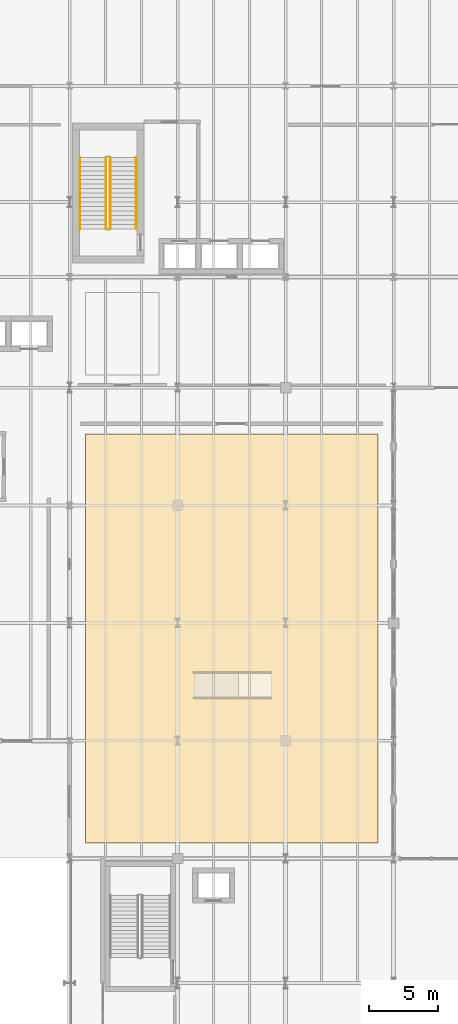
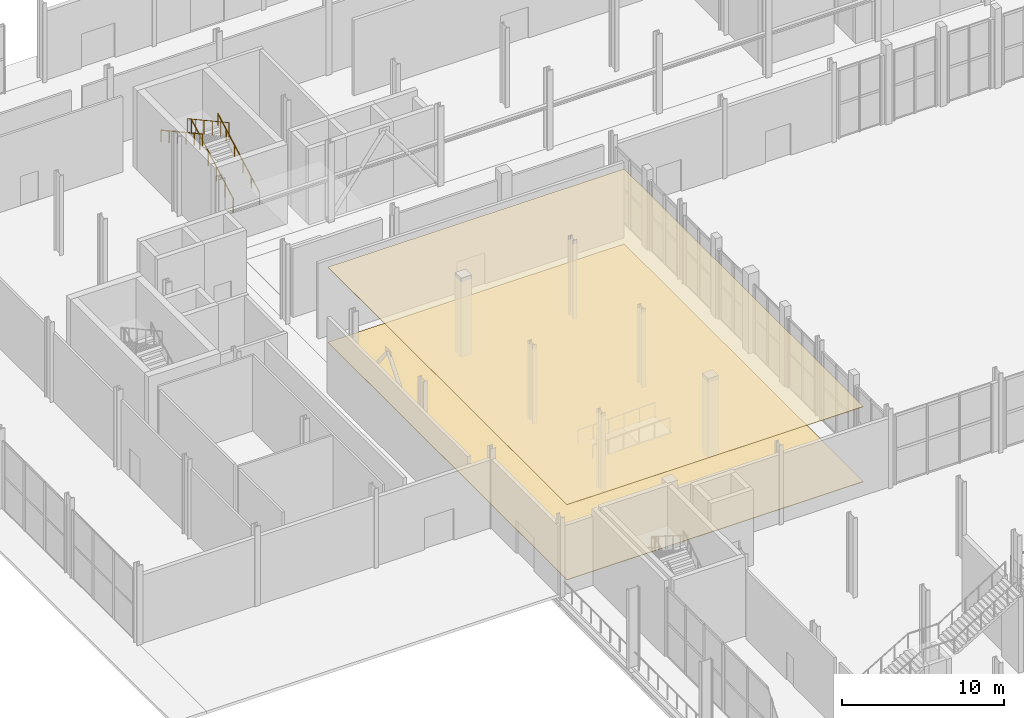
# One storey, part 74 of 84: 4 railings, 2 coverings.
"""IFC4 building model written with IfcOpenShell, lengths in metres."""

from ifc_helpers import new_model, si_unit, direction, frame, origin, origin_2d, place, context, subcontext, project, spatial, polyline, circle, outline, extrude, material, layer, layer_set, type_object, element, save


model = new_model("IFC4")

# Units and contexts
model_context = context("Model", 3, precision=1e-05, world=origin(), true_north=direction((0.0, 1.0)))
body_context = subcontext(model_context, "Body", "Model", "MODEL_VIEW")
ifc_project = project(units=[si_unit("LENGTHUNIT", "METRE"), si_unit("AREAUNIT", "SQUARE_METRE"), si_unit("VOLUMEUNIT", "CUBIC_METRE"), si_unit("PLANEANGLEUNIT", "RADIAN"), si_unit("MASSUNIT", "GRAM", prefix="KILO")], contexts=[model_context])

# Site, building, storey
site_placement = place(None, origin())
site = spatial("IfcSite", under=ifc_project, at=site_placement, CompositionType="ELEMENT")
building_placement = place(site_placement, origin())
building = spatial("IfcBuilding", under=site, at=building_placement, Name="Sefraquen Railside Congress Hotel", CompositionType="ELEMENT")
storey_placement = place(building_placement, origin())
storey = spatial("IfcBuildingStorey", under=building, at=storey_placement, Name="L00", CompositionType="ELEMENT", Elevation=0.0)

# Coverings
ifc_material_1 = material(Name="Acoustic mineral and carved plaster ceiling", Category="gypsum")
ifc_layer_1 = layer(ifc_material_1, 0.0400390625)
ifc_layer_set_1 = layer_set([ifc_layer_1], Name="Acoustic mineral and carved plaster ceiling")
covering_type_1 = type_object("IfcCoveringType", Name="TCV-CEIL-01", PredefinedType="CEILING", material=ifc_layer_set_1)
covering_1_placement = place(storey_placement, frame((0.0, 0.0, 5.659912109375)))
element("IfcCovering", 1, at=covering_1_placement, inside=storey, type_object=covering_type_1, Name="Exhibition Gallery Hall acoustic ceiling finish", PredefinedType="CEILING", context=body_context, shape_type="SweptSolid", body=[
    extrude(outline(polyline([(26.330078125, 55.1298828125), (47.469970703125, 55.1298828125), (47.469970703125, 84.669921875), (26.330078125, 84.669921875), (26.330078125, 55.1298828125)])), origin(), (0.0, 0.0, 1.0), 0.0400390625),
])
ifc_material_2 = material(Name="Moroccan zellige ceramic and honed stone flooring", Category="masonry")
ifc_layer_2 = layer(ifc_material_2, 0.0400390625)
ifc_layer_set_2 = layer_set([ifc_layer_2], Name="Moroccan zellige ceramic and honed stone flooring")
covering_type_2 = type_object("IfcCoveringType", Name="TCV-FLR-01", PredefinedType="FLOORING", material=ifc_layer_set_2)
covering_2_placement = place(storey_placement, origin())
element("IfcCovering", 2, at=covering_2_placement, inside=storey, type_object=covering_type_2, Name="Exhibition Gallery Hall architectural floor finish", PredefinedType="FLOORING", context=body_context, shape_type="SweptSolid", body=[
    extrude(outline(polyline([(26.330078125, 55.1298828125), (47.469970703125, 55.1298828125), (47.469970703125, 84.669921875), (26.330078125, 84.669921875), (26.330078125, 55.1298828125)])), origin(), (0.0, 0.0, 1.0), 0.0400390625),
])

# Railings
ifc_material_3 = material(Name="Patinated wrought architectural bronze", Category="metal")
railing_type_1 = type_object("IfcRailingType", Name="TRL-BAL-110", PredefinedType="BALUSTRADE", material=ifc_material_3)
railing_1_placement = place(storey_placement, frame((28.1298828125, 99.47998046875, 0.176513671875)))
element("IfcRailing", 3, at=railing_1_placement, inside=storey, type_object=railing_type_1, Name="L00 ST-H02 stair guard 1", PredefinedType="BALUSTRADE", context=body_context, shape_type="SweptSolid", body=[
    extrude(circle(Radius=0.02392578125, at=origin_2d()), frame((0.0, 0.0, 1.076171875), z_axis=(0.0, 0.876945751477, 0.480589376668), x_axis=(-1.0, 0.0, 0.0)), (0.0, 0.0, 1.0), 5.875),
    extrude(circle(Radius=0.02099609375, at=origin_2d()), origin(), (0.0, 0.0, 1.0), 1.052001953125),
    extrude(circle(Radius=0.02099609375, at=origin_2d()), frame((0.0, 1.030517578125, 0.564697265625)), (0.0, 0.0, 1.0), 1.052001953125),
    extrude(circle(Radius=0.02099609375, at=origin_2d()), frame((0.0, 2.060791015625, 1.12939453125)), (0.0, 0.0, 1.0), 1.052001953125),
    extrude(circle(Radius=0.02099609375, at=origin_2d()), frame((0.0, 3.09130859375, 1.694091796875)), (0.0, 0.0, 1.0), 1.052001953125),
    extrude(circle(Radius=0.02099609375, at=origin_2d()), frame((0.0, 4.12158203125, 2.2587890625)), (0.0, 0.0, 1.0), 1.052001953125),
    extrude(circle(Radius=0.02099609375, at=origin_2d()), frame((0.0, 5.152099609375, 2.823486328125)), (0.0, 0.0, 1.0), 1.052001953125),
])
railing_2_placement = place(storey_placement, frame((27.830078125, 104.632080078125, 3.176513671875)))
element("IfcRailing", 4, at=railing_2_placement, inside=storey, type_object=railing_type_1, Name="L00 ST-H02 stair guard 3", PredefinedType="BALUSTRADE", context=body_context, shape_type="SweptSolid", body=[
    extrude(circle(Radius=0.02392578125, at=origin_2d()), frame((0.0, 0.0, 1.076171875), z_axis=(0.0, -0.876945751477, 0.480589376668), x_axis=(1.0, 0.0, 0.0)), (0.0, 0.0, 1.0), 5.875),
    extrude(circle(Radius=0.02099609375, at=origin_2d()), origin(), (0.0, 0.0, 1.0), 1.052001953125),
    extrude(circle(Radius=0.02099609375, at=origin_2d()), frame((0.0, -1.030517578125, 0.564697265625)), (0.0, 0.0, 1.0), 1.052001953125),
    extrude(circle(Radius=0.02099609375, at=origin_2d()), frame((0.0, -2.060791015625, 1.12939453125)), (0.0, 0.0, 1.0), 1.052001953125),
    extrude(circle(Radius=0.02099609375, at=origin_2d()), frame((0.0, -3.09130859375, 1.694091796875)), (0.0, 0.0, 1.0), 1.052001953125),
    extrude(circle(Radius=0.02099609375, at=origin_2d()), frame((0.0, -4.12158203125, 2.2587890625)), (0.0, 0.0, 1.0), 1.052001953125),
    extrude(circle(Radius=0.02099609375, at=origin_2d()), frame((0.0, -5.152099609375, 2.823486328125)), (0.0, 0.0, 1.0), 1.052001953125),
])
railing_type_2 = type_object("IfcRailingType", Name="TRL-HR-090", PredefinedType="HANDRAIL", material=ifc_material_3)
railing_3_placement = place(storey_placement, frame((30.010009765625, 99.47998046875, 0.176513671875)))
element("IfcRailing", 5, at=railing_3_placement, inside=storey, type_object=railing_type_2, Name="L00 ST-H02 stair handrail 1", PredefinedType="HANDRAIL", context=body_context, shape_type="SweptSolid", body=[
    extrude(circle(Radius=0.02392578125, at=origin_2d()), frame((0.0, 0.0, 0.8759765625), z_axis=(0.0, 0.876945751477, 0.480589376668), x_axis=(-1.0, 0.0, 0.0)), (0.0, 0.0, 1.0), 5.875),
    extrude(circle(Radius=0.02099609375, at=origin_2d()), origin(), (0.0, 0.0, 1.0), 0.851806640625),
    extrude(circle(Radius=0.02099609375, at=origin_2d()), frame((0.0, 1.030517578125, 0.564697265625)), (0.0, 0.0, 1.0), 0.851806640625),
    extrude(circle(Radius=0.02099609375, at=origin_2d()), frame((0.0, 2.060791015625, 1.12939453125)), (0.0, 0.0, 1.0), 0.851806640625),
    extrude(circle(Radius=0.02099609375, at=origin_2d()), frame((0.0, 3.09130859375, 1.694091796875)), (0.0, 0.0, 1.0), 0.851806640625),
    extrude(circle(Radius=0.02099609375, at=origin_2d()), frame((0.0, 4.12158203125, 2.2587890625)), (0.0, 0.0, 1.0), 0.851806640625),
    extrude(circle(Radius=0.02099609375, at=origin_2d()), frame((0.0, 5.152099609375, 2.823486328125)), (0.0, 0.0, 1.0), 0.851806640625),
])
railing_4_placement = place(storey_placement, frame((25.949951171875, 104.632080078125, 3.176513671875)))
element("IfcRailing", 6, at=railing_4_placement, inside=storey, type_object=railing_type_2, Name="L00 ST-H02 stair handrail 2", PredefinedType="HANDRAIL", context=body_context, shape_type="SweptSolid", body=[
    extrude(circle(Radius=0.02392578125, at=origin_2d()), frame((0.0, 0.0, 0.8759765625), z_axis=(0.0, -0.876945751477, 0.480589376668), x_axis=(1.0, 0.0, 0.0)), (0.0, 0.0, 1.0), 5.875),
    extrude(circle(Radius=0.02099609375, at=origin_2d()), origin(), (0.0, 0.0, 1.0), 0.851806640625),
    extrude(circle(Radius=0.02099609375, at=origin_2d()), frame((0.0, -1.030517578125, 0.564697265625)), (0.0, 0.0, 1.0), 0.851806640625),
    extrude(circle(Radius=0.02099609375, at=origin_2d()), frame((0.0, -2.060791015625, 1.12939453125)), (0.0, 0.0, 1.0), 0.851806640625),
    extrude(circle(Radius=0.02099609375, at=origin_2d()), frame((0.0, -3.09130859375, 1.694091796875)), (0.0, 0.0, 1.0), 0.851806640625),
    extrude(circle(Radius=0.02099609375, at=origin_2d()), frame((0.0, -4.12158203125, 2.2587890625)), (0.0, 0.0, 1.0), 0.851806640625),
    extrude(circle(Radius=0.02099609375, at=origin_2d()), frame((0.0, -5.152099609375, 2.823486328125)), (0.0, 0.0, 1.0), 0.851806640625),
])

save(model, "model.ifc")
